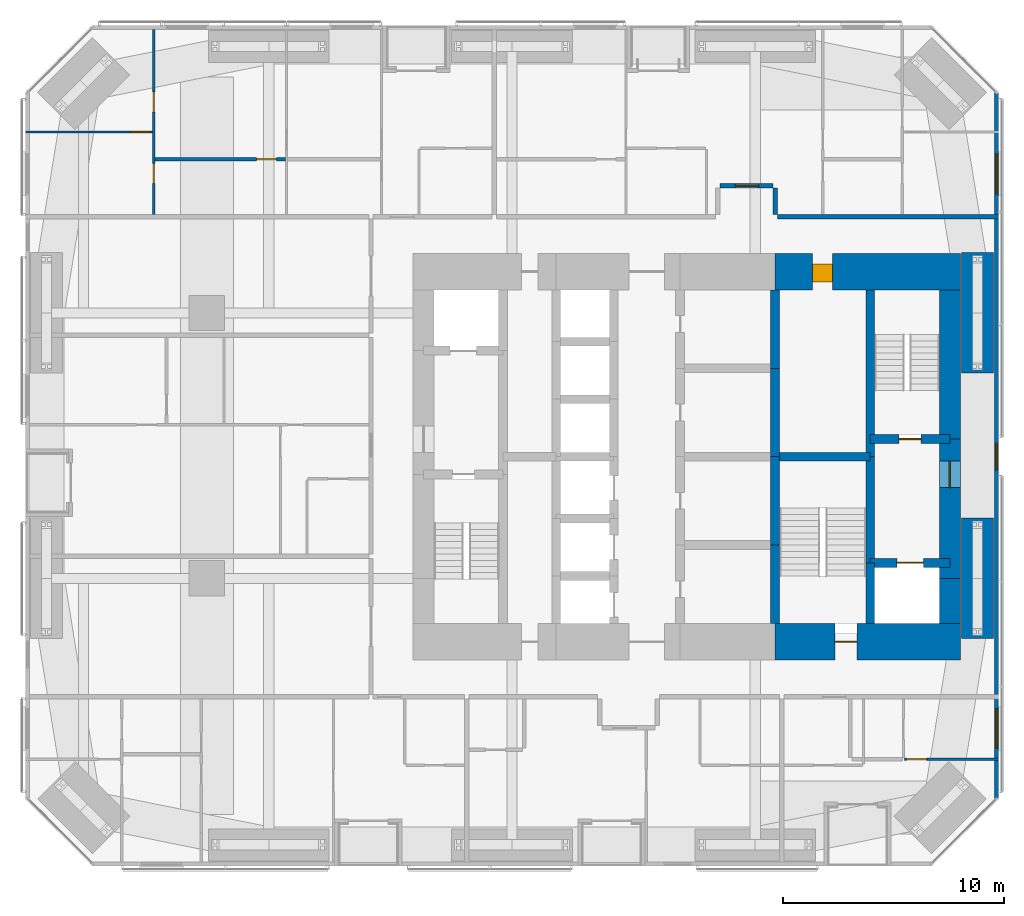
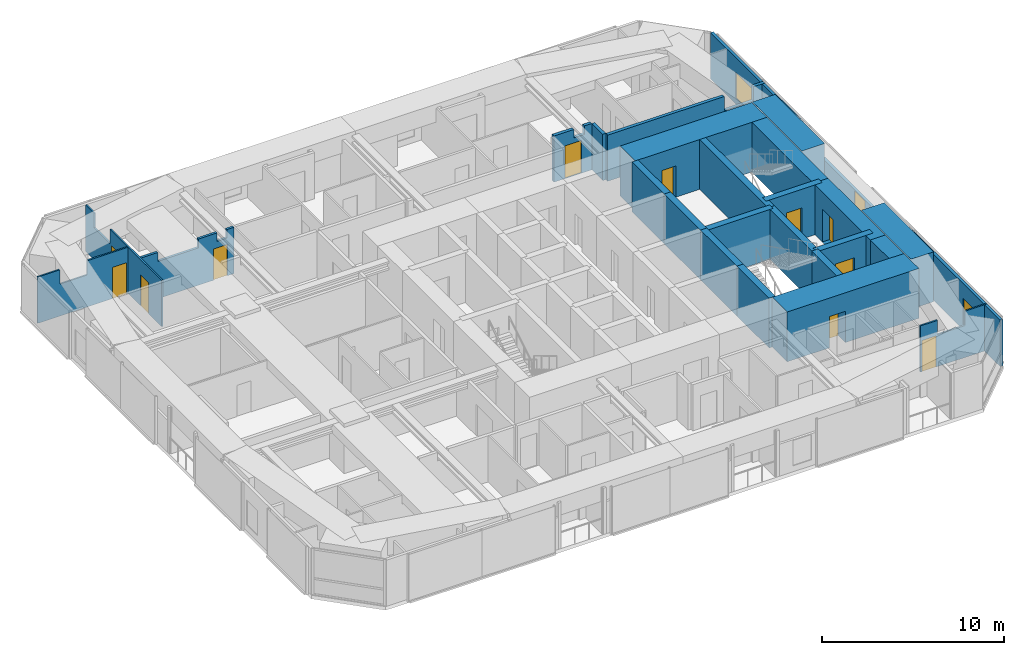
# One storey, part 20 of 23: 25 walls, 11 doors, 3 windows, 14 openings.
"""IFC4 building model written with IfcOpenShell, lengths in metres."""

from ifc_helpers import new_model, si_unit, direction, frame, frame_2d, origin, place, context, subcontext, project, spatial, polyline, rectangle, outline, extrude, material, layer, layer_set, constituent, constituent_set, type_object, element, fill, save


model = new_model("IFC4")

# Units and contexts
model_context = context("Model", 3, precision=1e-05, world=origin(), true_north=direction((0.0, 1.0)))
body_context = subcontext(model_context, "Body", "Model", "MODEL_VIEW")
ifc_project = project(units=[si_unit("LENGTHUNIT", "METRE"), si_unit("AREAUNIT", "SQUARE_METRE"), si_unit("VOLUMEUNIT", "CUBIC_METRE"), si_unit("PLANEANGLEUNIT", "RADIAN"), si_unit("MASSUNIT", "GRAM", prefix="KILO")], contexts=[model_context])

# Site, building, storey
site_placement = place(None, origin())
site = spatial("IfcSite", under=ifc_project, at=site_placement, CompositionType="ELEMENT")
building_placement = place(site_placement, origin())
building = spatial("IfcBuilding", under=site, at=building_placement, Name="Jalousie Tower", CompositionType="ELEMENT")
storey_placement = place(building_placement, frame((0.0, 0.0, 41.10009765625)))
storey = spatial("IfcBuildingStorey", under=building, at=storey_placement, Name="L10", CompositionType="ELEMENT", Elevation=41.10009765625)

# Wall, opening, door
ifc_material_1 = material(Name="Concrete block ASTM C90", Category="concrete")
ifc_constituent_1 = constituent(ifc_material_1, Name="Body")
ifc_material_2 = material(Name="Render")
ifc_constituent_2 = constituent(ifc_material_2, Name="Finish")
ifc_constituent_set_1 = constituent_set(constituents=[ifc_constituent_1, ifc_constituent_2])
wall_type_1 = type_object("IfcWallType", Name="BATHROOM WALL 150", PredefinedType="PLUMBINGWALL", material=ifc_constituent_set_1)
wall_1_placement = place(storey_placement, frame((7.85009765625, 31.949951171875, 0.0), z_axis=(0.0, 0.0, 1.0), x_axis=(1.0, 0.0, 0.0)))
wall_1 = element("IfcWall", 1, at=wall_1_placement, inside=storey, type_object=wall_type_1, Name="Bathroom Wall 150 L10", PredefinedType="PLUMBINGWALL", context=body_context, shape_type="SweptSolid", body=[
    extrude(outline(polyline([(0.0, 0.0), (5.89990234375, 0.0), (5.89990234375, 3.10986328125), (5.46240234375, 3.10986328125), (5.46240234375, 2.541015625), (4.837646484375, 2.541015625), (4.837646484375, 3.10986328125), (3.635009765625, 3.10986328125), (3.635009765625, 2.510009765625), (1.06494140625, 2.510009765625), (1.06494140625, 3.10986328125), (0.0, 3.10986328125), (0.0, 0.0)])), frame((0.0, 0.074951171875, 0.0), z_axis=(0.0, -1.0, 0.0), x_axis=(1.0, 0.0, 0.0)), (0.0, 0.0, 1.0), 0.14990234375),
])
opening_1_placement = place(wall_1_placement, frame((4.60009765625, 0.0, 0.0)))
opening_1 = element("IfcOpeningElement", 2, at=opening_1_placement, cuts=wall_1, Name="Opening D3", PredefinedType="OPENING", context=body_context, shape_type="SweptSolid", body=[
    extrude(rectangle(XDim=0.89990234375, YDim=2.10009765625, at=frame_2d((0.449951171875, 1.050048828125))), frame((0.0, 0.0849609375, 0.0), z_axis=(0.0, -1.0, 0.0), x_axis=(1.0, 0.0, 0.0)), (0.0, 0.0, 1.0), 0.169921875),
])
ifc_material_3 = material(Name="Timber door", Category="wood")
door_type_1 = type_object("IfcDoorType", Name="BATHROOM DOOR 900", OperationType="SINGLE_SWING_LEFT", PredefinedType="DOOR", material=ifc_material_3)
door_1_placement = place(opening_1_placement, frame((0.89990234375, 0.0, 0.0), z_axis=(0.0, 0.0, 1.0), x_axis=(-1.0, 0.0, 0.0)))
door_1 = element("IfcDoor", 3, at=door_1_placement, inside=storey, type_object=door_type_1, Name="Apartment 1004 bedroom 2 bathroom door", OperationType="SINGLE_SWING_LEFT", OverallHeight=2.10009765625, OverallWidth=0.89990234375, PredefinedType="DOOR", context=body_context, shape_type="SweptSolid", body=[
    extrude(rectangle(XDim=0.89990234375, YDim=2.10009765625, at=frame_2d((0.449951171875, 1.050048828125))), frame((0.0, 0.02490234375, 0.0), z_axis=(0.0, -1.0, 0.0), x_axis=(1.0, 0.0, 0.0)), (0.0, 0.0, 1.0), 0.050048828125),
])
fill(opening_1, door_1)

ifc_material_4 = material(Name="Concrete f'c 120 MPa", Category="concrete")
ifc_layer_1 = layer(ifc_material_4, 1.64990234375)
ifc_layer_set_1 = layer_set([ifc_layer_1], Name="Concrete f'c 120 MPa")
wall_type_2 = type_object("IfcWallType", Name="CORE WALL 1650", PredefinedType="SHEAR", material=ifc_layer_set_1)
wall_2_placement = place(storey_placement, frame((35.89990234375, 10.125, 0.0), z_axis=(0.0, 0.0, 1.0), x_axis=(1.0, 0.0, 0.0)))
wall_2 = element("IfcWall", 4, at=wall_2_placement, inside=storey, type_object=wall_type_2, Name="Core wall SD L10", PredefinedType="SHEAR", context=body_context, shape_type="SweptSolid", body=[
    extrude(rectangle(XDim=8.375, YDim=1.64990234375, at=frame_2d((4.1875, 0.0))), origin(), (0.0, 0.0, 1.0), 3.349853515625),
])
opening_2_placement = place(wall_2_placement, frame((2.699951171875, 0.0, 0.0)))
opening_2 = element("IfcOpeningElement", 5, at=opening_2_placement, cuts=wall_2, Name="Opening D10", PredefinedType="OPENING", context=body_context, shape_type="SweptSolid", body=[
    extrude(rectangle(XDim=1.0, YDim=2.10009765625, at=frame_2d((0.5, 1.050048828125))), frame((0.0, 0.8349609375, 0.0), z_axis=(0.0, -1.0, 0.0), x_axis=(1.0, 0.0, 0.0)), (0.0, 0.0, 1.0), 1.669921875),
])
ifc_material_5 = material(Name="Steel fire door", Category="steel")
door_type_2 = type_object("IfcDoorType", Name="STAIR DOOR 1000", OperationType="SINGLE_SWING_LEFT", PredefinedType="DOOR", material=ifc_material_5)
door_2_placement = place(opening_2_placement, origin())
door_2 = element("IfcDoor", 6, at=door_2_placement, inside=storey, type_object=door_type_2, Name="Exit stair C door", OperationType="SINGLE_SWING_RIGHT", OverallHeight=2.10009765625, OverallWidth=1.0, PredefinedType="DOOR", context=body_context, shape_type="SweptSolid", body=[
    extrude(rectangle(XDim=1.0, YDim=2.10009765625, at=frame_2d((0.5, 1.050048828125))), frame((0.0, 0.02490234375, 0.0), z_axis=(0.0, -1.0, 0.0), x_axis=(1.0, 0.0, 0.0)), (0.0, 0.0, 1.0), 0.050048828125),
])
fill(opening_2, door_2)

wall_3_placement = place(storey_placement, frame((44.27490234375, 26.875, 0.0), z_axis=(0.0, 0.0, 1.0), x_axis=(-1.0, 0.0, 0.0)))
wall_3 = element("IfcWall", 7, at=wall_3_placement, inside=storey, type_object=wall_type_2, Name="Core wall NA L10", PredefinedType="SHEAR", context=body_context, shape_type="SweptSolid", body=[
    extrude(rectangle(XDim=8.375, YDim=1.64990234375, at=frame_2d((4.1875, 0.0))), origin(), (0.0, 0.0, 1.0), 3.349853515625),
])
opening_3_placement = place(wall_3_placement, frame((5.77490234375, 0.0, 0.0)))
opening_3 = element("IfcOpeningElement", 8, at=opening_3_placement, cuts=wall_3, Name="Opening D18", PredefinedType="OPENING", context=body_context, shape_type="SweptSolid", body=[
    extrude(rectangle(XDim=0.89990234375, YDim=2.10009765625, at=frame_2d((0.449951171875, 1.050048828125))), frame((0.0, 0.8349609375, 0.0), z_axis=(0.0, -1.0, 0.0), x_axis=(1.0, 0.0, 0.0)), (0.0, 0.0, 1.0), 1.669921875),
])
ifc_material_6 = material(Name="Steel fire door", Category="steel")
door_type_3 = type_object("IfcDoorType", Name="CLEANER'S STORE DOOR 900", OperationType="SINGLE_SWING_LEFT", PredefinedType="DOOR", material=ifc_material_6)
door_3_placement = place(opening_3_placement, origin())
door_3 = element("IfcDoor", 9, at=door_3_placement, inside=storey, type_object=door_type_3, Name="Cleaner's store door", OperationType="SINGLE_SWING_RIGHT", OverallHeight=2.10009765625, OverallWidth=0.89990234375, PredefinedType="DOOR", context=body_context, shape_type="SweptSolid", body=[
    extrude(rectangle(XDim=0.89990234375, YDim=2.10009765625, at=frame_2d((0.449951171875, 1.050048828125))), frame((0.0, 0.47021484375, 0.0), z_axis=(0.0, -1.0, 0.0), x_axis=(1.0, 0.0, 0.0)), (0.0, 0.0, 1.0), 0.800048828125),
])
fill(opening_3, door_3)

# Walls
ifc_material_7 = material(Name="Concrete f'c 120 MPa", Category="concrete")
ifc_layer_2 = layer(ifc_material_7, 0.39990234375)
ifc_layer_set_2 = layer_set([ifc_layer_2], Name="Concrete f'c 120 MPa")
wall_type_3 = type_object("IfcWallType", Name="CORE WALL 400", PredefinedType="SHEAR", material=ifc_layer_set_2)
wall_4_placement = place(storey_placement, frame((35.89990234375, 10.949951171875, 0.0), z_axis=(0.0, 0.0, 1.0), x_axis=(0.0, 1.0, 0.0)))
element("IfcWall", 10, at=wall_4_placement, inside=storey, type_object=wall_type_3, Name="Core wall X35.9A L10", PredefinedType="SHEAR", context=body_context, shape_type="SweptSolid", body=[
    extrude(rectangle(XDim=3.550048828125, YDim=0.39990234375, at=frame_2d((1.77490234375, 0.0))), origin(), (0.0, 0.0, 1.0), 3.349853515625),
])
for number, where, z_axis, x_axis, name in (
    (11, (35.89990234375, 14.5, 0.0), (0.0, 0.0, 1.0), (0.0, 1.0, 0.0), "Core wall X35.9B L10"),
    (12, (35.89990234375, 18.5, 0.0), (0.0, 0.0, 1.0), (0.0, 1.0, 0.0), "Core wall X35.9C L10"),
):
    element("IfcWall", number, at=place(storey_placement, frame(where, z_axis=z_axis, x_axis=x_axis)), inside=storey, type_object=wall_type_3, Name=name, PredefinedType="SHEAR", context=body_context, shape_type="SweptSolid", body=[
        extrude(rectangle(XDim=4.0, YDim=0.39990234375, at=frame_2d((2.0, 0.0))), origin(), (0.0, 0.0, 1.0), 3.349853515625),
    ])
wall_5_placement = place(storey_placement, frame((35.89990234375, 22.5, 0.0), z_axis=(0.0, 0.0, 1.0), x_axis=(0.0, 1.0, 0.0)))
element("IfcWall", 13, at=wall_5_placement, inside=storey, type_object=wall_type_3, Name="Core wall X35.9D L10", PredefinedType="SHEAR", context=body_context, shape_type="SweptSolid", body=[
    extrude(rectangle(XDim=3.550048828125, YDim=0.39990234375, at=frame_2d((1.77490234375, 0.0))), origin(), (0.0, 0.0, 1.0), 3.349853515625),
])
wall_6_placement = place(storey_placement, frame((40.199951171875, 10.949951171875, 0.0), z_axis=(0.0, 0.0, 1.0), x_axis=(0.0, 1.0, 0.0)))
element("IfcWall", 14, at=wall_6_placement, inside=storey, type_object=wall_type_3, Name="Core wall X40.2A L10", PredefinedType="SHEAR", context=body_context, shape_type="SweptSolid", body=[
    extrude(rectangle(XDim=2.75, YDim=0.39990234375, at=frame_2d((1.375, 0.0))), origin(), (0.0, 0.0, 1.0), 3.349853515625),
])
wall_7_placement = place(storey_placement, frame((40.199951171875, 13.699951171875, 0.0), z_axis=(0.0, 0.0, 1.0), x_axis=(0.0, 1.0, 0.0)))
element("IfcWall", 15, at=wall_7_placement, inside=storey, type_object=wall_type_3, Name="Core wall X40.2B L10", PredefinedType="SHEAR", context=body_context, shape_type="SweptSolid", body=[
    extrude(rectangle(XDim=4.800048828125, YDim=0.39990234375, at=frame_2d((2.39990234375, 0.0))), origin(), (0.0, 0.0, 1.0), 3.349853515625),
])
wall_8_placement = place(storey_placement, frame((40.199951171875, 18.5, 0.0), z_axis=(0.0, 0.0, 1.0), x_axis=(0.0, 1.0, 0.0)))
element("IfcWall", 16, at=wall_8_placement, inside=storey, type_object=wall_type_3, Name="Core wall X40.2C L10", PredefinedType="SHEAR", context=body_context, shape_type="SweptSolid", body=[
    extrude(rectangle(XDim=7.550048828125, YDim=0.39990234375, at=frame_2d((3.77490234375, 0.0))), origin(), (0.0, 0.0, 1.0), 3.349853515625),
])
wall_9_placement = place(storey_placement, frame((35.89990234375, 18.5, 0.0), z_axis=(0.0, 0.0, 1.0), x_axis=(1.0, 0.0, 0.0)))
element("IfcWall", 17, at=wall_9_placement, inside=storey, type_object=wall_type_3, Name="Core wall Y35.9-18.5 L10", PredefinedType="SHEAR", context=body_context, shape_type="SweptSolid", body=[
    extrude(rectangle(XDim=4.300048828125, YDim=0.39990234375, at=frame_2d((2.14990234375, 0.0))), origin(), (0.0, 0.0, 1.0), 3.349853515625),
])

# Wall, opening, door
wall_10_placement = place(storey_placement, frame((40.199951171875, 13.699951171875, 0.0), z_axis=(0.0, 0.0, 1.0), x_axis=(1.0, 0.0, 0.0)))
wall_10 = element("IfcWall", 18, at=wall_10_placement, inside=storey, type_object=wall_type_3, Name="Core wall Y40.2-13.7 L10", PredefinedType="SHEAR", context=body_context, shape_type="SweptSolid", body=[
    extrude(rectangle(XDim=3.60009765625, YDim=0.39990234375, at=frame_2d((1.800048828125, 0.0))), origin(), (0.0, 0.0, 1.0), 3.349853515625),
])
opening_4_placement = place(wall_10_placement, frame((1.199951171875, 0.0, 0.0)))
opening_4 = element("IfcOpeningElement", 19, at=opening_4_placement, cuts=wall_10, Name="Opening LD2", PredefinedType="OPENING", context=body_context, shape_type="SweptSolid", body=[
    extrude(rectangle(XDim=1.199951171875, YDim=2.10009765625, at=frame_2d((0.60009765625, 1.050048828125))), frame((0.0, 0.2099609375, 0.0), z_axis=(0.0, -1.0, 0.0), x_axis=(1.0, 0.0, 0.0)), (0.0, 0.0, 1.0), 0.419921875),
])
ifc_material_8 = material(Name="Steel lift landing door", Category="steel")
door_type_4 = type_object("IfcDoorType", Name="LIFT LANDING DOOR 1200", OperationType="SLIDING_TO_LEFT", PredefinedType="DOOR", material=ifc_material_8)
door_4_placement = place(opening_4_placement, origin())
door_4 = element("IfcDoor", 20, at=door_4_placement, inside=storey, type_object=door_type_4, Name="Lift F2 landing door", OperationType="SLIDING_TO_LEFT", OverallHeight=2.10009765625, OverallWidth=1.199951171875, PredefinedType="DOOR", context=body_context, shape_type="SweptSolid", body=[
    extrude(rectangle(XDim=1.199951171875, YDim=2.10009765625, at=frame_2d((0.60009765625, 1.050048828125))), frame((0.0, 0.02490234375, 0.0), z_axis=(0.0, -1.0, 0.0), x_axis=(1.0, 0.0, 0.0)), (0.0, 0.0, 1.0), 0.050048828125),
])
fill(opening_4, door_4)

wall_11_placement = place(storey_placement, frame((40.199951171875, 19.300048828125, 0.0), z_axis=(0.0, 0.0, 1.0), x_axis=(1.0, 0.0, 0.0)))
wall_11 = element("IfcWall", 21, at=wall_11_placement, inside=storey, type_object=wall_type_3, Name="Core wall Y40.2-19.3 L10", PredefinedType="SHEAR", context=body_context, shape_type="SweptSolid", body=[
    extrude(rectangle(XDim=3.60009765625, YDim=0.39990234375, at=frame_2d((1.800048828125, 0.0))), origin(), (0.0, 0.0, 1.0), 3.349853515625),
])
opening_5_placement = place(wall_11_placement, frame((1.300048828125, 0.0, 0.0)))
opening_5 = element("IfcOpeningElement", 22, at=opening_5_placement, cuts=wall_11, Name="Opening D10", PredefinedType="OPENING", context=body_context, shape_type="SweptSolid", body=[
    extrude(rectangle(XDim=1.0, YDim=2.10009765625, at=frame_2d((0.5, 1.050048828125))), frame((0.0, 0.2099609375, 0.0), z_axis=(0.0, -1.0, 0.0), x_axis=(1.0, 0.0, 0.0)), (0.0, 0.0, 1.0), 0.419921875),
])
door_5_placement = place(opening_5_placement, origin())
door_5 = element("IfcDoor", 23, at=door_5_placement, inside=storey, type_object=door_type_2, Name="Exit stair B door", OperationType="SINGLE_SWING_RIGHT", OverallHeight=2.10009765625, OverallWidth=1.0, PredefinedType="DOOR", context=body_context, shape_type="SweptSolid", body=[
    extrude(rectangle(XDim=1.0, YDim=2.10009765625, at=frame_2d((0.5, 1.050048828125))), frame((0.0, 0.02490234375, 0.0), z_axis=(0.0, -1.0, 0.0), x_axis=(1.0, 0.0, 0.0)), (0.0, 0.0, 1.0), 0.050048828125),
])
fill(opening_5, door_5)

# Wall
ifc_material_9 = material(Name="Concrete f'c 120 MPa", Category="concrete")
ifc_layer_3 = layer(ifc_material_9, 0.949951171875)
ifc_layer_set_3 = layer_set([ifc_layer_3], Name="Concrete f'c 120 MPa")
wall_type_4 = type_object("IfcWallType", Name="CORE WALL 950", PredefinedType="SHEAR", material=ifc_layer_set_3)
wall_12_placement = place(storey_placement, frame((43.800048828125, 10.949951171875, 0.0), z_axis=(0.0, 0.0, 1.0), x_axis=(0.0, 1.0, 0.0)))
element("IfcWall", 24, at=wall_12_placement, inside=storey, type_object=wall_type_4, Name="Core wall EA L10", PredefinedType="SHEAR", context=body_context, shape_type="SweptSolid", body=[
    extrude(rectangle(XDim=2.050048828125, YDim=0.949951171875, at=frame_2d((1.02490234375, 0.0))), origin(), (0.0, 0.0, 1.0), 3.349853515625),
])

# Wall, opening, door
wall_13_placement = place(storey_placement, frame((43.800048828125, 13.0, 0.0), z_axis=(0.0, 0.0, 1.0), x_axis=(0.0, 1.0, 0.0)))
wall_13 = element("IfcWall", 25, at=wall_13_placement, inside=storey, type_object=wall_type_4, Name="Core wall EB L10", PredefinedType="SHEAR", context=body_context, shape_type="SweptSolid", body=[
    extrude(rectangle(XDim=6.300048828125, YDim=0.949951171875, at=frame_2d((3.14990234375, 0.0))), origin(), (0.0, 0.0, 1.0), 3.349853515625),
])
opening_6_placement = place(wall_13_placement, frame((4.10009765625, 0.0, 0.0)))
opening_6 = element("IfcOpeningElement", 26, at=opening_6_placement, cuts=wall_13, Name="Opening D11", PredefinedType="OPENING", context=body_context, shape_type="SweptSolid", body=[
    extrude(rectangle(XDim=1.199951171875, YDim=2.199951171875, at=frame_2d((0.60009765625, 1.10009765625))), frame((0.0, 0.48486328125, 0.0), z_axis=(0.0, -1.0, 0.0), x_axis=(1.0, 0.0, 0.0)), (0.0, 0.0, 1.0), 0.969970703125),
])
ifc_material_10 = material(Name="Steel fire door", Category="steel")
door_type_5 = type_object("IfcDoorType", Name="FIRE DOOR 1200", OperationType="SINGLE_SWING_LEFT", PredefinedType="DOOR", material=ifc_material_10)
door_6_placement = place(opening_6_placement, origin())
door_6 = element("IfcDoor", 27, at=door_6_placement, inside=storey, type_object=door_type_5, Name="Fire-fighting lobby B door", OperationType="SINGLE_SWING_RIGHT", OverallHeight=2.199951171875, OverallWidth=1.199951171875, PredefinedType="DOOR", context=body_context, shape_type="SweptSolid", body=[
    extrude(rectangle(XDim=1.199951171875, YDim=2.199951171875, at=frame_2d((0.60009765625, 1.10009765625))), frame((0.0, 0.02490234375, 0.0), z_axis=(0.0, -1.0, 0.0), x_axis=(1.0, 0.0, 0.0)), (0.0, 0.0, 1.0), 0.050048828125),
])
fill(opening_6, door_6)

# Walls
wall_14_placement = place(storey_placement, frame((43.800048828125, 19.300048828125, 0.0), z_axis=(0.0, 0.0, 1.0), x_axis=(0.0, 1.0, 0.0)))
element("IfcWall", 28, at=wall_14_placement, inside=storey, type_object=wall_type_4, Name="Core wall EC L10", PredefinedType="SHEAR", context=body_context, shape_type="SweptSolid", body=[
    extrude(rectangle(XDim=6.75, YDim=0.949951171875, at=frame_2d((3.375, 0.0))), origin(), (0.0, 0.0, 1.0), 3.349853515625),
])
ifc_material_11 = material(Name="Concrete block ASTM C90", Category="concrete")
ifc_constituent_3 = constituent(ifc_material_11, Name="Body")
ifc_material_12 = material(Name="Render")
ifc_constituent_4 = constituent(ifc_material_12, Name="Finish")
ifc_constituent_set_2 = constituent_set(constituents=[ifc_constituent_3, ifc_constituent_4])
wall_type_5 = type_object("IfcWallType", Name="CORRIDOR WALL 200", PredefinedType="PARTITIONING", material=ifc_constituent_set_2)
wall_15_placement = place(storey_placement, frame((36.0, 29.35009765625, 0.0), z_axis=(0.0, 0.0, 1.0), x_axis=(1.0, 0.0, 0.0)))
element("IfcWall", 29, at=wall_15_placement, inside=storey, type_object=wall_type_5, Name="Corridor Wall 200 L10", PredefinedType="PARTITIONING", context=body_context, shape_type="SweptSolid", body=[
    extrude(outline(polyline([(0.0, 0.0), (10.0, 0.0), (10.0, 3.10986328125), (9.2666015625, 3.10986328125), (9.2666015625, 2.14990234375), (7.422607421875, 2.14990234375), (7.422607421875, 3.10986328125), (0.0, 3.10986328125), (0.0, 0.0)])), frame((0.0, 0.10009765625, 0.0), z_axis=(0.0, -1.0, 0.0), x_axis=(1.0, 0.0, 0.0)), (0.0, 0.0, 1.0), 0.199951171875),
])

# Wall, opening, door
wall_16_placement = place(storey_placement, frame((33.39990234375, 30.75, 0.0), z_axis=(0.0, 0.0, 1.0), x_axis=(1.0, 0.0, 0.0)))
wall_16 = element("IfcWall", 30, at=wall_16_placement, inside=storey, type_object=wall_type_5, Name="Corridor Wall 200 L10", PredefinedType="PARTITIONING", context=body_context, shape_type="SweptSolid", body=[
    extrude(outline(polyline([(0.0, 0.0), (2.400146484375, 0.0), (2.39990234375, 3.10986328125), (1.9375, 3.10986328125), (1.9375, 2.541015625), (1.2626953125, 2.541015625), (1.2626953125, 3.10986328125), (0.0, 3.10986328125), (0.0, 0.0)])), frame((0.0, 0.10009765625, 0.0), z_axis=(0.0, -1.0, 0.0), x_axis=(1.0, 0.0, 0.0)), (0.0, 0.0, 1.0), 0.199951171875),
])
opening_7_placement = place(wall_16_placement, frame((0.699951171875, 0.0, 0.0)))
opening_7 = element("IfcOpeningElement", 31, at=opening_7_placement, cuts=wall_16, Name="Opening D1", PredefinedType="OPENING", context=body_context, shape_type="SweptSolid", body=[
    extrude(rectangle(XDim=1.050048828125, YDim=2.199951171875, at=frame_2d((0.52490234375, 1.10009765625))), frame((0.0, 0.10986328125, 0.0), z_axis=(0.0, -1.0, 0.0), x_axis=(1.0, 0.0, 0.0)), (0.0, 0.0, 1.0), 0.219970703125),
])
ifc_material_13 = material(Name="Timber fire door", Category="wood")
door_type_6 = type_object("IfcDoorType", Name="APARTMENT ENTRANCE DOOR 1050", OperationType="SINGLE_SWING_LEFT", PredefinedType="DOOR", material=ifc_material_13)
door_7_placement = place(opening_7_placement, origin())
door_7 = element("IfcDoor", 32, at=door_7_placement, inside=storey, type_object=door_type_6, Name="Apartment 1005 entrance", OperationType="SINGLE_SWING_LEFT", OverallHeight=2.199951171875, OverallWidth=1.050048828125, PredefinedType="DOOR", context=body_context, shape_type="SweptSolid", body=[
    extrude(rectangle(XDim=1.050048828125, YDim=2.199951171875, at=frame_2d((0.52490234375, 1.10009765625))), frame((0.0, 0.02490234375, 0.0), z_axis=(0.0, -1.0, 0.0), x_axis=(1.0, 0.0, 0.0)), (0.0, 0.0, 1.0), 0.050048828125),
])
fill(opening_7, door_7)

# Wall
wall_17_placement = place(storey_placement, frame((35.89990234375, 29.449951171875, 0.0), z_axis=(0.0, 0.0, 1.0), x_axis=(0.0, 1.0, 0.0)))
element("IfcWall", 33, at=wall_17_placement, inside=storey, type_object=wall_type_5, Name="Corridor Wall 200 L10", PredefinedType="PARTITIONING", context=body_context, shape_type="SweptSolid", body=[
    extrude(rectangle(XDim=1.199951171875, YDim=0.199951171875, at=frame_2d((0.60009765625, 0.0))), origin(), (0.0, 0.0, 1.0), 3.10986328125),
])

# Wall, openings, windows
ifc_material_14 = material(Name="Concrete f'c 40 MPa", Category="concrete")
ifc_constituent_5 = constituent(ifc_material_14, Name="Body")
ifc_material_15 = material(Name="Render, pastel coral")
ifc_constituent_6 = constituent(ifc_material_15, Name="Finish")
ifc_constituent_set_3 = constituent_set(constituents=[ifc_constituent_5, ifc_constituent_6])
wall_type_6 = type_object("IfcWallType", Name="EXTERNAL WALL 175 CORAL RENDER", PredefinedType="SOLIDWALL", material=ifc_constituent_set_3)
wall_18_placement = place(storey_placement, frame((45.91259765625, 3.05126953125, 0.0), z_axis=(0.0, 0.0, 1.0), x_axis=(0.0, 1.0, 0.0)))
wall_18 = element("IfcWall", 34, at=wall_18_placement, inside=storey, type_object=wall_type_6, Name="External Wall 175 Coral Render L10", PredefinedType="SOLIDWALL", context=body_context, shape_type="SweptSolid", body=[
    extrude(outline(polyline([(0.0, 0.0), (31.8974609375, 0.0), (31.8974609375, 3.10986328125), (22.167236328125, 3.10986328125), (22.167236328125, 2.14990234375), (22.074462890625, 2.14990234375), (22.074462890625, 3.10986328125), (21.94873046875, 3.10986328125), (21.94873046875, 2.14990234375), (9.94873046875, 2.14990234375), (9.94873046875, 3.10986328125), (9.822998046875, 3.10986328125), (9.822998046875, 2.14990234375), (9.72998046875, 2.14990234375), (9.72998046875, 3.10986328125), (0.0, 3.10986328125), (0.0, 0.0)])), frame((0.0, 0.08740234375, 0.0), z_axis=(0.0, -1.0, 0.0), x_axis=(1.0, 0.0, 0.0)), (0.0, 0.0, 1.0), 0.175048828125),
])
opening_8_placement = place(wall_18_placement, frame((2.25732421875, 0.0, 0.39990234375)))
opening_8 = element("IfcOpeningElement", 35, at=opening_8_placement, cuts=wall_18, Name="Opening W-BED170", PredefinedType="OPENING", context=body_context, shape_type="SweptSolid", body=[
    extrude(rectangle(XDim=1.800048828125, YDim=1.699951171875, at=frame_2d((0.89990234375, 0.85009765625))), frame((0.0, 0.097412109375, 0.0), z_axis=(0.0, -1.0, 0.0), x_axis=(1.0, 0.0, 0.0)), (0.0, 0.0, 1.0), 0.195068359375),
])
opening_9_placement = place(wall_18_placement, frame((14.8486328125, 0.0, 0.39990234375)))
opening_9 = element("IfcOpeningElement", 36, at=opening_9_placement, cuts=wall_18, Name="Opening W-COR170", PredefinedType="OPENING", context=body_context, shape_type="SweptSolid", body=[
    extrude(rectangle(XDim=1.199951171875, YDim=1.699951171875, at=frame_2d((0.60009765625, 0.85009765625))), frame((0.0, 0.097412109375, 0.0), z_axis=(0.0, -1.0, 0.0), x_axis=(1.0, 0.0, 0.0)), (0.0, 0.0, 1.0), 0.195068359375),
])
opening_10_placement = place(wall_18_placement, frame((27.340087890625, 0.0, 0.39990234375)))
opening_10 = element("IfcOpeningElement", 37, at=opening_10_placement, cuts=wall_18, Name="Opening W-BED170", PredefinedType="OPENING", context=body_context, shape_type="SweptSolid", body=[
    extrude(rectangle(XDim=1.800048828125, YDim=1.699951171875, at=frame_2d((0.89990234375, 0.85009765625))), frame((0.0, 0.097412109375, 0.0), z_axis=(0.0, -1.0, 0.0), x_axis=(1.0, 0.0, 0.0)), (0.0, 0.0, 1.0), 0.195068359375),
])
ifc_material_16 = material(Name="Aluminium frame, impact-rated glazing", Category="aluminium")
window_type_1 = type_object("IfcWindowType", Name="WINDOW BED 1800x1700", PartitioningType="SINGLE_PANEL", PredefinedType="WINDOW", material=ifc_material_16)
window_1_placement = place(opening_8_placement, origin())
window_1 = element("IfcWindow", 38, at=window_1_placement, inside=storey, type_object=window_type_1, Name="Apartment 1003 bedroom 1 window", OverallHeight=1.699951171875, OverallWidth=1.800048828125, PartitioningType="SINGLE_PANEL", PredefinedType="WINDOW", context=body_context, shape_type="SweptSolid", body=[
    extrude(rectangle(XDim=1.800048828125, YDim=1.699951171875, at=frame_2d((0.89990234375, 0.85009765625))), frame((0.0, 0.030029296875, 0.0), z_axis=(0.0, -1.0, 0.0), x_axis=(1.0, 0.0, 0.0)), (0.0, 0.0, 1.0), 0.06005859375),
])
fill(opening_8, window_1)
window_2_placement = place(opening_10_placement, origin())
window_2 = element("IfcWindow", 39, at=window_2_placement, inside=storey, type_object=window_type_1, Name="Apartment 1005 bedroom 3 window", OverallHeight=1.699951171875, OverallWidth=1.800048828125, PartitioningType="SINGLE_PANEL", PredefinedType="WINDOW", context=body_context, shape_type="SweptSolid", body=[
    extrude(rectangle(XDim=1.800048828125, YDim=1.699951171875, at=frame_2d((0.89990234375, 0.85009765625))), frame((0.0, 0.030029296875, 0.0), z_axis=(0.0, -1.0, 0.0), x_axis=(1.0, 0.0, 0.0)), (0.0, 0.0, 1.0), 0.06005859375),
])
fill(opening_10, window_2)
ifc_material_17 = material(Name="Aluminium frame, impact-rated glazing", Category="aluminium")
window_type_2 = type_object("IfcWindowType", Name="WINDOW COR 1200x1700", PartitioningType="SINGLE_PANEL", PredefinedType="WINDOW", material=ifc_material_17)
window_3_placement = place(opening_9_placement, origin())
window_3 = element("IfcWindow", 40, at=window_3_placement, inside=storey, type_object=window_type_2, Name="Corridor window", OverallHeight=1.699951171875, OverallWidth=1.199951171875, PartitioningType="SINGLE_PANEL", PredefinedType="WINDOW", context=body_context, shape_type="SweptSolid", body=[
    extrude(rectangle(XDim=1.199951171875, YDim=1.699951171875, at=frame_2d((0.60009765625, 0.85009765625))), frame((0.0, 0.030029296875, 0.0), z_axis=(0.0, -1.0, 0.0), x_axis=(1.0, 0.0, 0.0)), (0.0, 0.0, 1.0), 0.06005859375),
])
fill(opening_9, window_3)

# Wall, opening, door
ifc_material_18 = material(Name="Gypsum board", Category="gypsum")
ifc_constituent_7 = constituent(ifc_material_18, Name="Body")
ifc_material_19 = material(Name="Light-gauge steel studs ASTM A653 SS Grade 33", Category="steel")
ifc_constituent_8 = constituent(ifc_material_19, Name="Framing")
ifc_constituent_set_4 = constituent_set(constituents=[ifc_constituent_7, ifc_constituent_8])
wall_type_7 = type_object("IfcWallType", Name="PARTITION 100", PredefinedType="PARTITIONING", material=ifc_constituent_set_4)
wall_19_placement = place(storey_placement, frame((41.75, 4.8173828125, 0.0), z_axis=(0.0, 0.0, 1.0), x_axis=(1.0, 0.0, 0.0)))
wall_19 = element("IfcWall", 41, at=wall_19_placement, inside=storey, type_object=wall_type_7, Name="Partition 100 L10", PredefinedType="PARTITIONING", context=body_context, shape_type="SweptSolid", body=[
    extrude(outline(polyline([(0.0, 0.0), (4.25, 0.0), (4.25, 3.10986328125), (2.84423828125, 3.10986328125), (2.84423828125, 2.14990234375), (1.101806640625, 2.14990234375), (1.101806640625, 3.10986328125), (0.0, 3.10986328125), (0.0, 0.0)])), frame((0.0, 0.050048828125, 0.0), z_axis=(0.0, -1.0, 0.0), x_axis=(1.0, 0.0, 0.0)), (0.0, 0.0, 1.0), 0.10009765625),
])
opening_11_placement = place(wall_19_placement, frame((0.10009765625, 0.0, 0.0)))
opening_11 = element("IfcOpeningElement", 42, at=opening_11_placement, cuts=wall_19, Name="Opening D2", PredefinedType="OPENING", context=body_context, shape_type="SweptSolid", body=[
    extrude(rectangle(XDim=0.89990234375, YDim=2.10009765625, at=frame_2d((0.449951171875, 1.050048828125))), frame((0.0, 0.06005859375, 0.0), z_axis=(0.0, -1.0, 0.0), x_axis=(1.0, 0.0, 0.0)), (0.0, 0.0, 1.0), 0.1201171875),
])
ifc_material_20 = material(Name="Timber door", Category="wood")
door_type_7 = type_object("IfcDoorType", Name="BEDROOM DOOR 900", OperationType="SINGLE_SWING_LEFT", PredefinedType="DOOR", material=ifc_material_20)
door_8_placement = place(opening_11_placement, origin())
door_8 = element("IfcDoor", 43, at=door_8_placement, inside=storey, type_object=door_type_7, Name="Apartment 1003 bedroom 1 door", OperationType="SINGLE_SWING_LEFT", OverallHeight=2.10009765625, OverallWidth=0.89990234375, PredefinedType="DOOR", context=body_context, shape_type="SweptSolid", body=[
    extrude(rectangle(XDim=0.89990234375, YDim=2.10009765625, at=frame_2d((0.449951171875, 1.050048828125))), frame((0.0, 0.02490234375, 0.0), z_axis=(0.0, -1.0, 0.0), x_axis=(1.0, 0.0, 0.0)), (0.0, 0.0, 1.0), 0.050048828125),
])
fill(opening_11, door_8)

# Wall, openings, doors
wall_20_placement = place(storey_placement, frame((7.800048828125, 37.824951171875, 0.0), z_axis=(0.0, 0.0, 1.0), x_axis=(0.0, -1.0, 0.0)))
wall_20 = element("IfcWall", 44, at=wall_20_placement, inside=storey, type_object=wall_type_7, Name="Partition 100 L10", PredefinedType="PARTITIONING", context=body_context, shape_type="SweptSolid", body=[
    extrude(outline(polyline([(0.0, 0.0), (8.375, 0.0), (8.375, 3.10986328125), (2.697021484375, 3.10986328125), (2.697021484375, 2.14990234375), (0.942626953125, 2.14990234375), (0.942626953125, 3.10986328125), (0.0, 3.10986328125), (0.0, 0.0)])), frame((0.0, 0.050048828125, 0.0), z_axis=(0.0, -1.0, 0.0), x_axis=(1.0, 0.0, 0.0)), (0.0, 0.0, 1.0), 0.10009765625),
])
opening_12_placement = place(wall_20_placement, frame((2.84228515625, 0.0, 0.0)))
opening_12 = element("IfcOpeningElement", 45, at=opening_12_placement, cuts=wall_20, Name="Opening D2", PredefinedType="OPENING", context=body_context, shape_type="SweptSolid", body=[
    extrude(rectangle(XDim=0.89990234375, YDim=2.10009765625, at=frame_2d((0.449951171875, 1.050048828125))), frame((0.0, 0.06005859375, 0.0), z_axis=(0.0, -1.0, 0.0), x_axis=(1.0, 0.0, 0.0)), (0.0, 0.0, 1.0), 0.1201171875),
])
opening_13_placement = place(wall_20_placement, frame((6.05859375, 0.0, 0.0)))
opening_13 = element("IfcOpeningElement", 46, at=opening_13_placement, cuts=wall_20, Name="Opening D3", PredefinedType="OPENING", context=body_context, shape_type="SweptSolid", body=[
    extrude(rectangle(XDim=0.89990234375, YDim=2.10009765625, at=frame_2d((0.449951171875, 1.050048828125))), frame((0.0, 0.06005859375, 0.0), z_axis=(0.0, -1.0, 0.0), x_axis=(1.0, 0.0, 0.0)), (0.0, 0.0, 1.0), 0.1201171875),
])
door_9_placement = place(opening_13_placement, origin())
door_9 = element("IfcDoor", 47, at=door_9_placement, inside=storey, type_object=door_type_1, Name="Apartment 1004 bedroom 1 bathroom door", OperationType="SINGLE_SWING_LEFT", OverallHeight=2.10009765625, OverallWidth=0.89990234375, PredefinedType="DOOR", context=body_context, shape_type="SweptSolid", body=[
    extrude(rectangle(XDim=0.89990234375, YDim=2.10009765625, at=frame_2d((0.449951171875, 1.050048828125))), frame((0.0, 0.02490234375, 0.0), z_axis=(0.0, -1.0, 0.0), x_axis=(1.0, 0.0, 0.0)), (0.0, 0.0, 1.0), 0.050048828125),
])
fill(opening_13, door_9)
door_10_placement = place(opening_12_placement, origin())
door_10 = element("IfcDoor", 48, at=door_10_placement, inside=storey, type_object=door_type_7, Name="Apartment 1004 bedroom 1 door", OperationType="SINGLE_SWING_RIGHT", OverallHeight=2.10009765625, OverallWidth=0.89990234375, PredefinedType="DOOR", context=body_context, shape_type="SweptSolid", body=[
    extrude(rectangle(XDim=0.89990234375, YDim=2.10009765625, at=frame_2d((0.449951171875, 1.050048828125))), frame((0.0, 0.02490234375, 0.0), z_axis=(0.0, -1.0, 0.0), x_axis=(1.0, 0.0, 0.0)), (0.0, 0.0, 1.0), 0.050048828125),
])
fill(opening_12, door_10)

# Wall, opening, door
wall_21_placement = place(storey_placement, frame((2.0, 33.1826171875, 0.0), z_axis=(0.0, 0.0, 1.0), x_axis=(1.0, 0.0, 0.0)))
wall_21 = element("IfcWall", 49, at=wall_21_placement, inside=storey, type_object=wall_type_7, Name="Partition 100 L10", PredefinedType="PARTITIONING", context=body_context, shape_type="SweptSolid", body=[
    extrude(outline(polyline([(0.0, 0.0), (5.75, 0.0), (5.75, 3.10986328125), (3.148193359375, 3.10986328125), (3.148193359375, 2.14990234375), (1.40576171875, 2.14990234375), (1.40576171875, 3.10986328125), (0.0, 3.10986328125), (0.0, 0.0)])), frame((0.0, 0.050048828125, 0.0), z_axis=(0.0, -1.0, 0.0), x_axis=(1.0, 0.0, 0.0)), (0.0, 0.0, 1.0), 0.10009765625),
])
opening_14_placement = place(wall_21_placement, frame((4.75, 0.0, 0.0)))
opening_14 = element("IfcOpeningElement", 50, at=opening_14_placement, cuts=wall_21, Name="Opening D7", PredefinedType="OPENING", context=body_context, shape_type="SweptSolid", body=[
    extrude(rectangle(XDim=0.89990234375, YDim=2.10009765625, at=frame_2d((0.449951171875, 1.050048828125))), frame((0.0, 0.06005859375, 0.0), z_axis=(0.0, -1.0, 0.0), x_axis=(1.0, 0.0, 0.0)), (0.0, 0.0, 1.0), 0.1201171875),
])
ifc_material_21 = material(Name="Timber door", Category="wood")
door_type_8 = type_object("IfcDoorType", Name="INTERNAL DOOR 900", OperationType="SINGLE_SWING_LEFT", PredefinedType="DOOR", material=ifc_material_21)
door_11_placement = place(opening_14_placement, frame((0.89990234375, 0.0, 0.0), z_axis=(0.0, 0.0, 1.0), x_axis=(-1.0, 0.0, 0.0)))
door_11 = element("IfcDoor", 51, at=door_11_placement, inside=storey, type_object=door_type_8, Name="Apartment 1004 bedroom 1 dressing hall door", OperationType="SINGLE_SWING_LEFT", OverallHeight=2.10009765625, OverallWidth=0.89990234375, PredefinedType="DOOR", context=body_context, shape_type="SweptSolid", body=[
    extrude(rectangle(XDim=0.89990234375, YDim=2.10009765625, at=frame_2d((0.449951171875, 1.050048828125))), frame((0.0, 0.02490234375, 0.0), z_axis=(0.0, -1.0, 0.0), x_axis=(1.0, 0.0, 0.0)), (0.0, 0.0, 1.0), 0.050048828125),
])
fill(opening_14, door_11)

# Walls
ifc_material_22 = material(Name="Concrete f'c 120 MPa", Category="concrete")
ifc_layer_4 = layer(ifc_material_22, 1.449951171875)
ifc_layer_set_4 = layer_set([ifc_layer_4], Name="Concrete f'c 120 MPa")
wall_type_8 = type_object("IfcWallType", Name="RC WALL PIER 1450", PredefinedType="SHEAR", material=ifc_layer_set_4)
for number, where, z_axis, x_axis, name in (
    (52, (45.050048828125, 10.27490234375, 0.0), (0.0, 0.0, 1.0), (0.0, 1.0, 0.0), "Wall pier 06 L10"),
    (53, (45.050048828125, 22.27490234375, 0.0), (0.0, 0.0, 1.0), (0.0, 1.0, 0.0), "Wall pier 07 L10"),
):
    element("IfcWall", number, at=place(storey_placement, frame(where, z_axis=z_axis, x_axis=x_axis)), inside=storey, type_object=wall_type_8, Name=name, PredefinedType="SHEAR", context=body_context, shape_type="SweptSolid", body=[
        extrude(rectangle(XDim=5.4501953125, YDim=1.449951171875, at=frame_2d((2.72509765625, 0.0))), origin(), (0.0, 0.0, 1.0), 3.349853515625),
    ])

save(model, "model.ifc")
